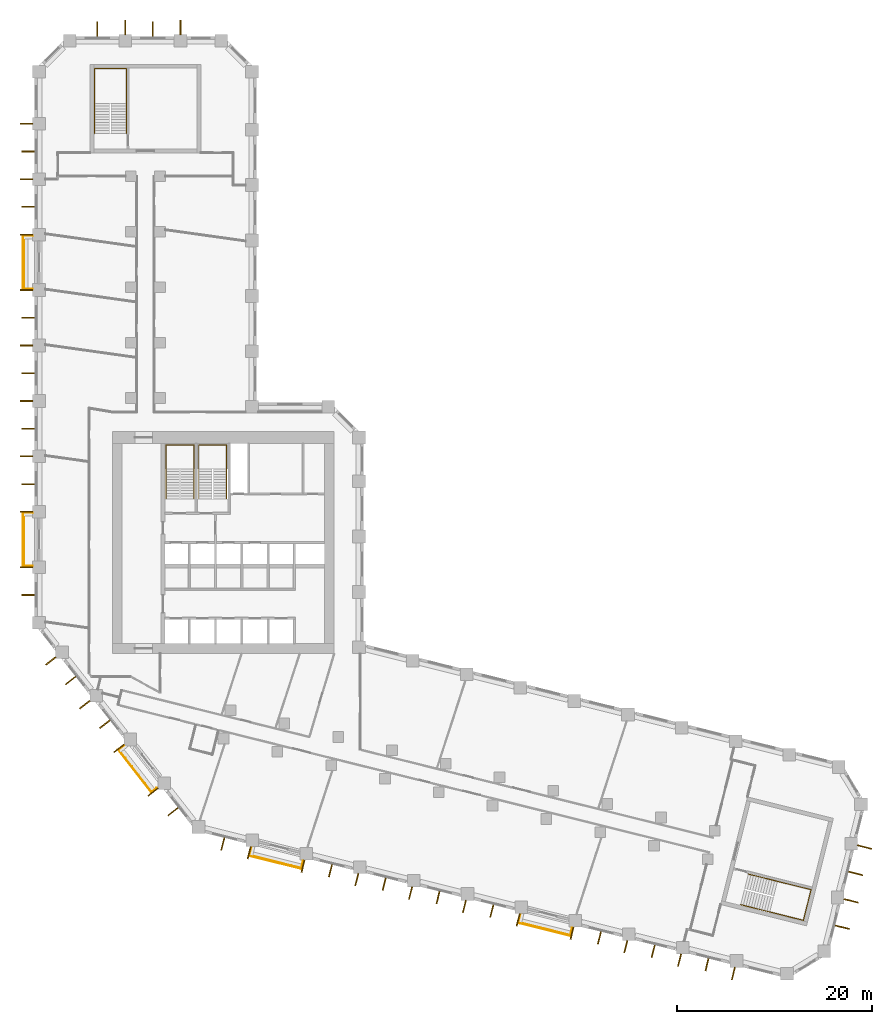
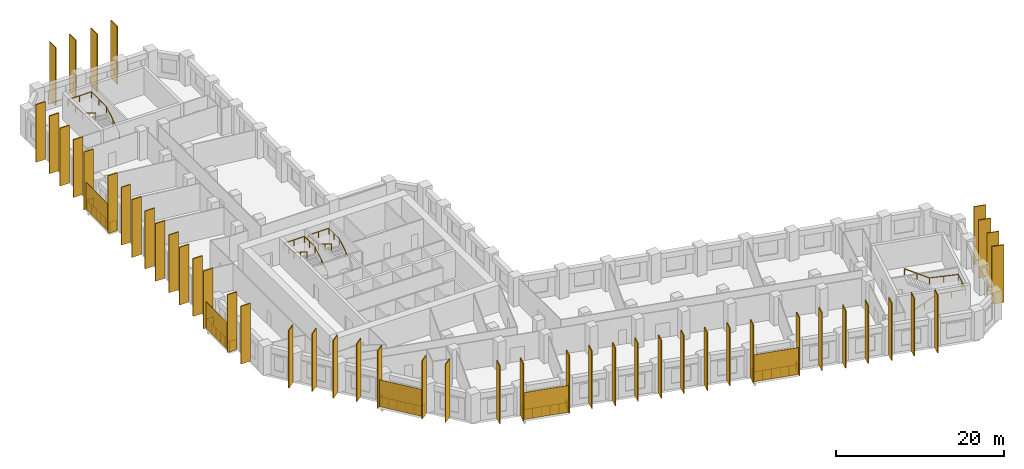
# One storey, part 11 of 11: 54 shading devices, 9 railings.
"""IFC4 building model written with IfcOpenShell, lengths in metres."""

from ifc_helpers import new_model, si_unit, direction, frame, origin, origin_2d, place, context, subcontext, project, spatial, rectangle, circle, extrude, material, layer, layer_set, type_object, element, save


model = new_model("IFC4")

# Units and contexts
model_context = context("Model", 3, precision=1e-05, world=origin(), true_north=direction((0.0, 1.0)))
body_context = subcontext(model_context, "Body", "Model", "MODEL_VIEW")
ifc_project = project(units=[si_unit("LENGTHUNIT", "METRE"), si_unit("AREAUNIT", "SQUARE_METRE"), si_unit("VOLUMEUNIT", "CUBIC_METRE"), si_unit("PLANEANGLEUNIT", "RADIAN"), si_unit("MASSUNIT", "GRAM", prefix="KILO")], contexts=[model_context])

# Site, building, storey
site_placement = place(None, origin())
site = spatial("IfcSite", under=ifc_project, at=site_placement, CompositionType="ELEMENT")
building_placement = place(site_placement, origin())
building = spatial("IfcBuilding", under=site, at=building_placement, Name="Meshkara Civic Tower", CompositionType="ELEMENT")
storey_placement = place(building_placement, frame((0.0, 0.0, 147.60009765625)))
storey = spatial("IfcBuildingStorey", under=building, at=storey_placement, Name="L33", CompositionType="ELEMENT", Elevation=147.60009765625)

# Railings
ifc_material_1 = material(Name="Steel S355", Category="steel")
railing_type_1 = type_object("IfcRailingType", Name="BALUSTRADE GUARD 1400", PredefinedType="BALUSTRADE", material=ifc_material_1)
for number, where, name in (
    (1, (-0.199951171875, 57.034912109375, 0.0), "Balcony guard"),
    (2, (-0.199951171875, 28.534912109375, 0.0), "Balcony guard"),
):
    element("IfcRailing", number, at=place(storey_placement, frame(where)), inside=storey, type_object=railing_type_1, Name=name, PredefinedType="BALUSTRADE", context=body_context, shape_type="SweptSolid", body=[
        extrude(circle(Radius=0.02392578125, at=origin_2d()), frame((0.0, 0.0, 1.3759765625), z_axis=(-1.0, 0.0, 0.0), x_axis=(0.0, -1.0, 0.0)), (0.0, 0.0, 1.0), 0.91015625),
        extrude(circle(Radius=0.02392578125, at=origin_2d()), frame((-0.91015625, 0.0, 1.3759765625), z_axis=(0.0, -1.0, 0.0), x_axis=(1.0, 0.0, 0.0)), (0.0, 0.0, 1.0), 5.4599609375),
        extrude(circle(Radius=0.02392578125, at=origin_2d()), frame((-0.91015625, -5.4599609375, 1.3759765625), z_axis=(1.0, 0.0, 0.0), x_axis=(0.0, 1.0, 0.0)), (0.0, 0.0, 1.0), 0.91015625),
        extrude(circle(Radius=0.02099609375, at=origin_2d()), origin(), (0.0, 0.0, 1.0), 1.351806640625),
        extrude(circle(Radius=0.02099609375, at=origin_2d()), frame((-0.91015625, 0.0, 0.0)), (0.0, 0.0, 1.0), 1.351806640625),
        extrude(circle(Radius=0.02099609375, at=origin_2d()), frame((-0.91015625, -1.092041015625, 0.0)), (0.0, 0.0, 1.0), 1.351806640625),
        extrude(circle(Radius=0.02099609375, at=origin_2d()), frame((-0.91015625, -2.18408203125, 0.0)), (0.0, 0.0, 1.0), 1.351806640625),
        extrude(circle(Radius=0.02099609375, at=origin_2d()), frame((-0.91015625, -3.27587890625, 0.0)), (0.0, 0.0, 1.0), 1.351806640625),
        extrude(circle(Radius=0.02099609375, at=origin_2d()), frame((-0.91015625, -4.367919921875, 0.0)), (0.0, 0.0, 1.0), 1.351806640625),
        extrude(circle(Radius=0.02099609375, at=origin_2d()), frame((-0.91015625, -5.4599609375, 0.0)), (0.0, 0.0, 1.0), 1.351806640625),
        extrude(circle(Radius=0.02099609375, at=origin_2d()), frame((0.0, -5.4599609375, 0.0)), (0.0, 0.0, 1.0), 1.351806640625),
    ])
railing_1_placement = place(storey_placement, frame((9.18798828125, 4.589111328125, 0.0)))
element("IfcRailing", 3, at=railing_1_placement, inside=storey, type_object=railing_type_1, Name="Balcony guard", PredefinedType="BALUSTRADE", context=body_context, shape_type="SweptSolid", body=[
    extrude(circle(Radius=0.02392578125, at=origin_2d()), frame((0.0, 0.0, 1.3759765625), z_axis=(-0.787481136241, -0.61633875431, 0.0), x_axis=(0.61633875431, -0.787481136241, 0.0)), (0.0, 0.0, 1.0), 0.647705078125),
    extrude(circle(Radius=0.02392578125, at=origin_2d()), frame((-0.510009765625, -0.399169921875, 1.3759765625), z_axis=(0.615660530481, -0.788011491799, 0.0), x_axis=(0.788011491799, 0.615660530481, 0.0)), (0.0, 0.0, 1.0), 5.459228515625),
    extrude(circle(Radius=0.02392578125, at=origin_2d()), frame((2.85107421875, -4.701171875, 1.3759765625), z_axis=(0.787481136241, 0.61633875431, 0.0), x_axis=(-0.61633875431, 0.787481136241, 0.0)), (0.0, 0.0, 1.0), 0.647705078125),
    extrude(circle(Radius=0.02099609375, at=origin_2d()), origin(), (0.0, 0.0, 1.0), 1.351806640625),
    extrude(circle(Radius=0.02099609375, at=origin_2d()), frame((-0.510009765625, -0.399169921875, 0.0)), (0.0, 0.0, 1.0), 1.351806640625),
    extrude(circle(Radius=0.02099609375, at=origin_2d()), frame((0.162109375, -1.259521484375, 0.0)), (0.0, 0.0, 1.0), 1.351806640625),
    extrude(circle(Radius=0.02099609375, at=origin_2d()), frame((0.83447265625, -2.119873046875, 0.0)), (0.0, 0.0, 1.0), 1.351806640625),
    extrude(circle(Radius=0.02099609375, at=origin_2d()), frame((1.506591796875, -2.98046875, 0.0)), (0.0, 0.0, 1.0), 1.351806640625),
    extrude(circle(Radius=0.02099609375, at=origin_2d()), frame((2.178955078125, -3.8408203125, 0.0)), (0.0, 0.0, 1.0), 1.351806640625),
    extrude(circle(Radius=0.02099609375, at=origin_2d()), frame((2.85107421875, -4.701171875, 0.0)), (0.0, 0.0, 1.0), 1.351806640625),
    extrude(circle(Radius=0.02099609375, at=origin_2d()), frame((3.361083984375, -4.302001953125, 0.0)), (0.0, 0.0, 1.0), 1.351806640625),
])
railing_2_placement = place(storey_placement, frame((22.30810546875, -5.909912109375, 0.0)))
element("IfcRailing", 4, at=railing_2_placement, inside=storey, type_object=railing_type_1, Name="Balcony guard", PredefinedType="BALUSTRADE", context=body_context, shape_type="SweptSolid", body=[
    extrude(circle(Radius=0.02392578125, at=origin_2d()), frame((0.0, 0.0, 1.3759765625), z_axis=(-0.242237978263, -0.970216863329, 0.0), x_axis=(0.970216863329, -0.242237978263, 0.0)), (0.0, 0.0, 1.0), 0.77197265625),
    extrude(circle(Radius=0.02392578125, at=origin_2d()), frame((-0.18701171875, -0.7490234375, 1.3759765625), z_axis=(0.970279141219, -0.24198840492, 0.0), x_axis=(0.24198840492, 0.970279141219, 0.0)), (0.0, 0.0, 1.0), 5.459228515625),
    extrude(circle(Radius=0.02392578125, at=origin_2d()), frame((5.10986328125, -2.070068359375, 1.3759765625), z_axis=(0.242237978263, 0.970216863329, 0.0), x_axis=(-0.970216863329, 0.242237978263, 0.0)), (0.0, 0.0, 1.0), 0.77197265625),
    extrude(circle(Radius=0.02099609375, at=origin_2d()), origin(), (0.0, 0.0, 1.0), 1.351806640625),
    extrude(circle(Radius=0.02099609375, at=origin_2d()), frame((-0.18701171875, -0.7490234375, 0.0)), (0.0, 0.0, 1.0), 1.351806640625),
    extrude(circle(Radius=0.02099609375, at=origin_2d()), frame((0.872314453125, -1.01318359375, 0.0)), (0.0, 0.0, 1.0), 1.351806640625),
    extrude(circle(Radius=0.02099609375, at=origin_2d()), frame((1.931640625, -1.27734375, 0.0)), (0.0, 0.0, 1.0), 1.351806640625),
    extrude(circle(Radius=0.02099609375, at=origin_2d()), frame((2.9912109375, -1.541748046875, 0.0)), (0.0, 0.0, 1.0), 1.351806640625),
    extrude(circle(Radius=0.02099609375, at=origin_2d()), frame((4.050537109375, -1.805908203125, 0.0)), (0.0, 0.0, 1.0), 1.351806640625),
    extrude(circle(Radius=0.02099609375, at=origin_2d()), frame((5.10986328125, -2.070068359375, 0.0)), (0.0, 0.0, 1.0), 1.351806640625),
    extrude(circle(Radius=0.02099609375, at=origin_2d()), frame((5.296875, -1.321044921875, 0.0)), (0.0, 0.0, 1.0), 1.351806640625),
])
railing_3_placement = place(storey_placement, frame((49.9609375, -12.804931640625, 0.0)))
element("IfcRailing", 5, at=railing_3_placement, inside=storey, type_object=railing_type_1, Name="Balcony guard", PredefinedType="BALUSTRADE", context=body_context, shape_type="SweptSolid", body=[
    extrude(circle(Radius=0.02392578125, at=origin_2d()), frame((0.0, 0.0, 1.3759765625), z_axis=(-0.242237978263, -0.970216863329, 0.0), x_axis=(0.970216863329, -0.242237978263, 0.0)), (0.0, 0.0, 1.0), 0.77197265625),
    extrude(circle(Radius=0.02392578125, at=origin_2d()), frame((-0.18701171875, -0.7490234375, 1.3759765625), z_axis=(0.970292231073, -0.24193591366, 0.0), x_axis=(0.24193591366, 0.970292231073, 0.0)), (0.0, 0.0, 1.0), 5.460205078125),
    extrude(circle(Radius=0.02392578125, at=origin_2d()), frame((5.111083984375, -2.070068359375, 1.3759765625), z_axis=(0.242237978263, 0.970216863329, 0.0), x_axis=(-0.970216863329, 0.242237978263, 0.0)), (0.0, 0.0, 1.0), 0.77197265625),
    extrude(circle(Radius=0.02099609375, at=origin_2d()), origin(), (0.0, 0.0, 1.0), 1.351806640625),
    extrude(circle(Radius=0.02099609375, at=origin_2d()), frame((-0.18701171875, -0.7490234375, 0.0)), (0.0, 0.0, 1.0), 1.351806640625),
    extrude(circle(Radius=0.02099609375, at=origin_2d()), frame((0.87255859375, -1.01318359375, 0.0)), (0.0, 0.0, 1.0), 1.351806640625),
    extrude(circle(Radius=0.02099609375, at=origin_2d()), frame((1.93212890625, -1.27734375, 0.0)), (0.0, 0.0, 1.0), 1.351806640625),
    extrude(circle(Radius=0.02099609375, at=origin_2d()), frame((2.991943359375, -1.541748046875, 0.0)), (0.0, 0.0, 1.0), 1.351806640625),
    extrude(circle(Radius=0.02099609375, at=origin_2d()), frame((4.051513671875, -1.805908203125, 0.0)), (0.0, 0.0, 1.0), 1.351806640625),
    extrude(circle(Radius=0.02099609375, at=origin_2d()), frame((5.111083984375, -2.070068359375, 0.0)), (0.0, 0.0, 1.0), 1.351806640625),
    extrude(circle(Radius=0.02099609375, at=origin_2d()), frame((5.298095703125, -1.321044921875, 0.0)), (0.0, 0.0, 1.0), 1.351806640625),
])

# Shading devices
ifc_material_2 = material(Name="Bronze anodised aluminium", Category="aluminium")
ifc_layer_1 = layer(ifc_material_2, 0.1201171875)
ifc_layer_set_1 = layer_set([ifc_layer_1], Name="BRONZE FIN 1300")
shading_device_type_1 = type_object("IfcShadingDeviceType", Name="BRONZE FIN 1300", PredefinedType="USERDEFINED", material=ifc_layer_set_1)
for number, where, z_axis, x_axis, name in (
    (6, (-0.85009765625, 68.554931640625, 0.0), (0.0, 0.0, 1.0), (0.0, -1.0, 0.0), "Fin"),
    (7, (-0.64990234375, 65.705078125, 0.0), (0.0, 0.0, 1.0), (0.0, -1.0, 0.0), "Fin"),
    (8, (-0.85009765625, 62.85498046875, 0.0), (0.0, 0.0, 1.0), (0.0, -1.0, 0.0), "Fin"),
    (9, (-0.64990234375, 60.0048828125, 0.0), (0.0, 0.0, 1.0), (0.0, -1.0, 0.0), "Fin"),
    (10, (-0.85009765625, 57.155029296875, 0.0), (0.0, 0.0, 1.0), (0.0, -1.0, 0.0), "Fin"),
    (11, (-0.85009765625, 51.455078125, 0.0), (0.0, 0.0, 1.0), (0.0, -1.0, 0.0), "Fin"),
    (12, (-0.64990234375, 48.60498046875, 0.0), (0.0, 0.0, 1.0), (0.0, -1.0, 0.0), "Fin"),
    (13, (-0.85009765625, 45.7548828125, 0.0), (0.0, 0.0, 1.0), (0.0, -1.0, 0.0), "Fin"),
    (14, (-0.64990234375, 42.905029296875, 0.0), (0.0, 0.0, 1.0), (0.0, -1.0, 0.0), "Fin"),
    (15, (-0.85009765625, 40.054931640625, 0.0), (0.0, 0.0, 1.0), (0.0, -1.0, 0.0), "Fin"),
    (16, (-0.64990234375, 37.205078125, 0.0), (0.0, 0.0, 1.0), (0.0, -1.0, 0.0), "Fin"),
    (17, (-0.85009765625, 34.35498046875, 0.0), (0.0, 0.0, 1.0), (0.0, -1.0, 0.0), "Fin"),
    (18, (-0.64990234375, 31.5048828125, 0.0), (0.0, 0.0, 1.0), (0.0, -1.0, 0.0), "Fin"),
    (19, (-0.85009765625, 28.655029296875, 0.0), (0.0, 0.0, 1.0), (0.0, -1.0, 0.0), "Fin"),
    (20, (-0.85009765625, 22.955078125, 0.0), (0.0, 0.0, 1.0), (0.0, -1.0, 0.0), "Fin"),
    (21, (-0.64990234375, 20.10498046875, 0.0), (0.0, 0.0, 1.0), (0.0, -1.0, 0.0), "Fin"),
    (22, (1.652099609375, 13.321044921875, 0.0), (0.0, 0.0, 1.0), (0.615661475326, -0.788010753607, 0.0), "Fin"),
    (23, (3.701904296875, 11.305908203125, 0.0), (0.0, 0.0, 1.0), (0.615661475326, -0.788010753607, 0.0), "Fin"),
    (24, (5.160888671875, 8.8291015625, 0.0), (0.0, 0.0, 1.0), (0.615661475326, -0.788010753607, 0.0), "Fin"),
    (25, (7.2109375, 6.81396484375, 0.0), (0.0, 0.0, 1.0), (0.615661475326, -0.788010753607, 0.0), "Fin"),
    (26, (8.6708984375, 4.3369140625, 0.0), (0.0, 0.0, 1.0), (0.615661475326, -0.788010753607, 0.0), "Fin"),
    (27, (12.179931640625, -0.154052734375, 0.0), (0.0, 0.0, 1.0), (0.615661475326, -0.788010753607, 0.0), "Fin"),
    (28, (14.22998046875, -2.1689453125, 0.0), (0.0, 0.0, 1.0), (0.615661475326, -0.788010753607, 0.0), "Fin"),
    (29, (19.35009765625, -5.4951171875, 0.0), (0.0, 0.0, 1.0), (0.970299948462, -0.241904960708, 0.0), "Fin"),
    (30, (22.06298828125, -6.39794921875, 0.0), (0.0, 0.0, 1.0), (0.970299948462, -0.241904960708, 0.0), "Fin"),
    (31, (27.593017578125, -7.777099609375, 0.0), (0.0, 0.0, 1.0), (0.970299948462, -0.241904960708, 0.0), "Fin"),
    (32, (30.412109375, -8.251953125, 0.0), (0.0, 0.0, 1.0), (0.970299948462, -0.241904960708, 0.0), "Fin"),
    (33, (33.1240234375, -9.156005859375, 0.0), (0.0, 0.0, 1.0), (0.970299948462, -0.241904960708, 0.0), "Fin"),
    (34, (35.94189453125, -9.631103515625, 0.0), (0.0, 0.0, 1.0), (0.970299948462, -0.241904960708, 0.0), "Fin"),
    (35, (38.655029296875, -10.533935546875, 0.0), (0.0, 0.0, 1.0), (0.970299948462, -0.241904960708, 0.0), "Fin"),
    (36, (41.472900390625, -11.010009765625, 0.0), (0.0, 0.0, 1.0), (0.970299948462, -0.241904960708, 0.0), "Fin"),
    (37, (44.18603515625, -11.9130859375, 0.0), (0.0, 0.0, 1.0), (0.970299948462, -0.241904960708, 0.0), "Fin"),
    (38, (47.00390625, -12.388916015625, 0.0), (0.0, 0.0, 1.0), (0.970299948462, -0.241904960708, 0.0), "Fin"),
    (39, (49.716064453125, -13.2919921875, 0.0), (0.0, 0.0, 1.0), (0.970299948462, -0.241904960708, 0.0), "Fin"),
    (40, (55.2470703125, -14.6708984375, 0.0), (0.0, 0.0, 1.0), (0.970299948462, -0.241904960708, 0.0), "Fin"),
    (41, (58.06494140625, -15.14697265625, 0.0), (0.0, 0.0, 1.0), (0.970299948462, -0.241904960708, 0.0), "Fin"),
    (42, (60.778076171875, -16.050048828125, 0.0), (0.0, 0.0, 1.0), (0.970299948462, -0.241904960708, 0.0), "Fin"),
    (43, (63.595947265625, -16.52587890625, 0.0), (0.0, 0.0, 1.0), (0.970299948462, -0.241904960708, 0.0), "Fin"),
    (44, (66.30810546875, -17.428955078125, 0.0), (0.0, 0.0, 1.0), (0.970299948462, -0.241904960708, 0.0), "Fin"),
    (45, (69.1259765625, -17.905029296875, 0.0), (0.0, 0.0, 1.0), (0.970299948462, -0.241904960708, 0.0), "Fin"),
    (46, (71.839111328125, -18.80810546875, 0.0), (0.0, 0.0, 1.0), (0.970299948462, -0.241904960708, 0.0), "Fin"),
):
    element("IfcShadingDevice", number, at=place(storey_placement, frame(where, z_axis=z_axis, x_axis=x_axis)), inside=storey, type_object=shading_device_type_1, Name=name, ObjectType="FIN", PredefinedType="USERDEFINED", context=body_context, shape_type="SweptSolid", body=[
        extrude(rectangle(XDim=0.1201171875, YDim=1.300048828125, at=origin_2d()), origin(), (0.0, 0.0, 1.0), 8.39990234375),
    ])
ifc_material_3 = material(Name="Bronze anodised aluminium", Category="aluminium")
ifc_layer_2 = layer(ifc_material_3, 0.1201171875)
ifc_layer_set_2 = layer_set([ifc_layer_2], Name="BRONZE FIN 1500")
shading_device_type_2 = type_object("IfcShadingDeviceType", Name="BRONZE FIN 1500", PredefinedType="USERDEFINED", material=ifc_layer_set_2)
for number, where, z_axis, x_axis, name in (
    (47, (15.006103515625, 78.469970703125, 0.0), (0.0, 0.0, 1.0), (-1.0, 0.0, 0.0), "Fin"),
    (48, (12.156005859375, 78.27001953125, 0.0), (0.0, 0.0, 1.0), (-1.0, 0.0, 0.0), "Fin"),
    (49, (9.305908203125, 78.469970703125, 0.0), (0.0, 0.0, 1.0), (-1.0, 0.0, 0.0), "Fin"),
    (50, (6.4560546875, 78.27001953125, 0.0), (0.0, 0.0, 1.0), (-1.0, 0.0, 0.0), "Fin"),
    (51, (83.037109375, -14.049072265625, 0.0), (0.0, 0.0, 1.0), (0.2419218956, 0.970295726276, 0.0), "Fin"),
    (52, (83.93994140625, -11.3359375, 0.0), (0.0, 0.0, 1.0), (0.2419218956, 0.970295726276, 0.0), "Fin"),
    (53, (84.416015625, -8.51806640625, 0.0), (0.0, 0.0, 1.0), (0.2419218956, 0.970295726276, 0.0), "Fin"),
    (54, (85.319091796875, -5.805908203125, 0.0), (0.0, 0.0, 1.0), (0.2419218956, 0.970295726276, 0.0), "Fin"),
):
    element("IfcShadingDevice", number, at=place(storey_placement, frame(where, z_axis=z_axis, x_axis=x_axis)), inside=storey, type_object=shading_device_type_2, Name=name, ObjectType="FIN", PredefinedType="USERDEFINED", context=body_context, shape_type="SweptSolid", body=[
        extrude(rectangle(XDim=0.1201171875, YDim=1.5, at=origin_2d()), origin(), (0.0, 0.0, 1.0), 8.39990234375),
    ])
ifc_material_4 = material(Name="Perforated bronze anodised aluminium sheet", Category="aluminium")
ifc_layer_3 = layer(ifc_material_4, 0.0400390625)
ifc_layer_set_3 = layer_set([ifc_layer_3], Name="PERFORATED BRONZE SCREEN")
shading_device_type_3 = type_object("IfcShadingDeviceType", Name="PERFORATED BRONZE SCREEN", PredefinedType="USERDEFINED", material=ifc_layer_set_3)
for number, where, z_axis, x_axis, name in (
    (55, (-1.179931640625, 54.304931640625, 0.0), (0.0, 0.0, 1.0), (0.0, -1.0, 0.0), "Balcony screen"),
    (56, (-1.179931640625, 25.804931640625, 0.0), (0.0, 0.0, 1.0), (0.0, -1.0, 0.0), "Balcony screen"),
):
    element("IfcShadingDevice", number, at=place(storey_placement, frame(where, z_axis=z_axis, x_axis=x_axis)), inside=storey, type_object=shading_device_type_3, Name=name, ObjectType="SCREEN", PredefinedType="USERDEFINED", context=body_context, shape_type="SweptSolid", body=[
        extrude(rectangle(XDim=5.580078125, YDim=0.0400390625, at=origin_2d()), origin(), (0.0, 0.0, 1.0), 3.89990234375),
    ])
for number, where, z_axis, x_axis, name in (
    (57, (10.302978515625, 1.99609375, 0.0), (0.0, 0.0, 1.0), (0.615661475326, -0.788010753607, 0.0), "Balcony screen"),
    (58, (24.7529296875, -7.387939453125, 0.0), (0.0, 0.0, 1.0), (0.970299948462, -0.241904960708, 0.0), "Balcony screen"),
):
    element("IfcShadingDevice", number, at=place(storey_placement, frame(where, z_axis=z_axis, x_axis=x_axis)), inside=storey, type_object=shading_device_type_3, Name=name, ObjectType="SCREEN", PredefinedType="USERDEFINED", context=body_context, shape_type="SweptSolid", body=[
        extrude(rectangle(XDim=5.5791015625, YDim=0.0400390625, at=origin_2d()), origin(), (0.0, 0.0, 1.0), 3.89990234375),
    ])
shading_device_placement = place(storey_placement, frame((52.406005859375, -14.281982421875, 0.0), z_axis=(0.0, 0.0, 1.0), x_axis=(0.970299948462, -0.241904960708, 0.0)))
element("IfcShadingDevice", 59, at=shading_device_placement, inside=storey, type_object=shading_device_type_3, Name="Balcony screen", ObjectType="SCREEN", PredefinedType="USERDEFINED", context=body_context, shape_type="SweptSolid", body=[
    extrude(rectangle(XDim=5.580078125, YDim=0.0400390625, at=origin_2d()), origin(), (0.0, 0.0, 1.0), 3.89990234375),
])

# Railings
ifc_material_5 = material(Name="Steel handrail", Category="steel")
railing_type_2 = type_object("IfcRailingType", Name="Stair handrail 900", PredefinedType="HANDRAIL", material=ifc_material_5)
railing_4_placement = place(storey_placement, frame((16.375, 30.0, 0.1748046875)))
element("IfcRailing", 60, at=railing_4_placement, inside=storey, type_object=railing_type_2, Name="L33 ST1 stair handrail 1", PredefinedType="HANDRAIL", context=body_context, shape_type="SweptSolid", body=[
    extrude(circle(Radius=0.02392578125, at=origin_2d()), frame((0.0, 0.0, 0.8759765625), z_axis=(0.0, 0.847998304005, 0.529998940003), x_axis=(-1.0, 0.0, 0.0)), (0.0, 0.0, 1.0), 3.632080078125),
    extrude(circle(Radius=0.02392578125, at=origin_2d()), frame((0.0, 3.080078125, 2.80078125), z_axis=(0.0, 1.0, 0.0), x_axis=(-1.0, 0.0, 0.0)), (0.0, 0.0, 1.0), 2.469970703125),
    extrude(circle(Radius=0.02392578125, at=origin_2d()), frame((0.0, 5.550048828125, 2.80078125), z_axis=(-1.0, 0.0, 0.0), x_axis=(0.0, -1.0, 0.0)), (0.0, 0.0, 1.0), 2.85009765625),
    extrude(circle(Radius=0.02392578125, at=origin_2d()), frame((-2.85009765625, 5.550048828125, 2.80078125), z_axis=(0.0, -0.997498084828, 0.070693498747), x_axis=(1.0, 0.0, 0.0)), (0.0, 0.0, 1.0), 2.47607421875),
    extrude(circle(Radius=0.02392578125, at=origin_2d()), frame((-2.85009765625, 3.080078125, 2.97607421875), z_axis=(0.0, -0.847998304005, 0.529998940003), x_axis=(1.0, 0.0, 0.0)), (0.0, 0.0, 1.0), 3.632080078125),
    extrude(circle(Radius=0.02099609375, at=origin_2d()), origin(), (0.0, 0.0, 1.0), 0.851806640625),
    extrude(circle(Radius=0.02099609375, at=origin_2d()), frame((0.0, 1.5400390625, 0.96240234375)), (0.0, 0.0, 1.0), 0.851806640625),
    extrude(circle(Radius=0.02099609375, at=origin_2d()), frame((0.0, 3.080078125, 1.925048828125)), (0.0, 0.0, 1.0), 0.851806640625),
    extrude(circle(Radius=0.02099609375, at=origin_2d()), frame((0.0, 4.31494140625, 1.925048828125)), (0.0, 0.0, 1.0), 0.851806640625),
    extrude(circle(Radius=0.02099609375, at=origin_2d()), frame((0.0, 5.550048828125, 1.925048828125)), (0.0, 0.0, 1.0), 0.851806640625),
    extrude(circle(Radius=0.02099609375, at=origin_2d()), frame((-1.425048828125, 5.550048828125, 1.925048828125)), (0.0, 0.0, 1.0), 0.851806640625),
    extrude(circle(Radius=0.02099609375, at=origin_2d()), frame((-2.85009765625, 5.550048828125, 1.925048828125)), (0.0, 0.0, 1.0), 0.851806640625),
    extrude(circle(Radius=0.02099609375, at=origin_2d()), frame((-2.85009765625, 4.31494140625, 2.0126953125)), (0.0, 0.0, 1.0), 0.851806640625),
    extrude(circle(Radius=0.02099609375, at=origin_2d()), frame((-2.85009765625, 3.080078125, 2.10009765625)), (0.0, 0.0, 1.0), 0.851806640625),
    extrude(circle(Radius=0.02099609375, at=origin_2d()), frame((-2.85009765625, 1.5400390625, 3.0625)), (0.0, 0.0, 1.0), 0.851806640625),
    extrude(circle(Radius=0.02099609375, at=origin_2d()), frame((-2.85009765625, 0.0, 4.025146484375)), (0.0, 0.0, 1.0), 0.851806640625),
])
railing_5_placement = place(storey_placement, frame((19.72509765625, 30.0, 0.1748046875)))
element("IfcRailing", 61, at=railing_5_placement, inside=storey, type_object=railing_type_2, Name="L33 ST2 stair handrail 1", PredefinedType="HANDRAIL", context=body_context, shape_type="SweptSolid", body=[
    extrude(circle(Radius=0.02392578125, at=origin_2d()), frame((0.0, 0.0, 0.8759765625), z_axis=(0.0, 0.847998304005, 0.529998940003), x_axis=(-1.0, 0.0, 0.0)), (0.0, 0.0, 1.0), 3.632080078125),
    extrude(circle(Radius=0.02392578125, at=origin_2d()), frame((0.0, 3.080078125, 2.80078125), z_axis=(0.0, 1.0, 0.0), x_axis=(-1.0, 0.0, 0.0)), (0.0, 0.0, 1.0), 2.469970703125),
    extrude(circle(Radius=0.02392578125, at=origin_2d()), frame((0.0, 5.550048828125, 2.80078125), z_axis=(-1.0, 0.0, 0.0), x_axis=(0.0, -1.0, 0.0)), (0.0, 0.0, 1.0), 2.85009765625),
    extrude(circle(Radius=0.02392578125, at=origin_2d()), frame((-2.85009765625, 5.550048828125, 2.80078125), z_axis=(0.0, -0.997498084828, 0.070693498747), x_axis=(1.0, 0.0, 0.0)), (0.0, 0.0, 1.0), 2.47607421875),
    extrude(circle(Radius=0.02392578125, at=origin_2d()), frame((-2.85009765625, 3.080078125, 2.97607421875), z_axis=(0.0, -0.847998304005, 0.529998940003), x_axis=(1.0, 0.0, 0.0)), (0.0, 0.0, 1.0), 3.632080078125),
    extrude(circle(Radius=0.02099609375, at=origin_2d()), origin(), (0.0, 0.0, 1.0), 0.851806640625),
    extrude(circle(Radius=0.02099609375, at=origin_2d()), frame((0.0, 1.5400390625, 0.96240234375)), (0.0, 0.0, 1.0), 0.851806640625),
    extrude(circle(Radius=0.02099609375, at=origin_2d()), frame((0.0, 3.080078125, 1.925048828125)), (0.0, 0.0, 1.0), 0.851806640625),
    extrude(circle(Radius=0.02099609375, at=origin_2d()), frame((0.0, 4.31494140625, 1.925048828125)), (0.0, 0.0, 1.0), 0.851806640625),
    extrude(circle(Radius=0.02099609375, at=origin_2d()), frame((0.0, 5.550048828125, 1.925048828125)), (0.0, 0.0, 1.0), 0.851806640625),
    extrude(circle(Radius=0.02099609375, at=origin_2d()), frame((-1.425048828125, 5.550048828125, 1.925048828125)), (0.0, 0.0, 1.0), 0.851806640625),
    extrude(circle(Radius=0.02099609375, at=origin_2d()), frame((-2.85009765625, 5.550048828125, 1.925048828125)), (0.0, 0.0, 1.0), 0.851806640625),
    extrude(circle(Radius=0.02099609375, at=origin_2d()), frame((-2.85009765625, 4.31494140625, 2.0126953125)), (0.0, 0.0, 1.0), 0.851806640625),
    extrude(circle(Radius=0.02099609375, at=origin_2d()), frame((-2.85009765625, 3.080078125, 2.10009765625)), (0.0, 0.0, 1.0), 0.851806640625),
    extrude(circle(Radius=0.02099609375, at=origin_2d()), frame((-2.85009765625, 1.5400390625, 3.0625)), (0.0, 0.0, 1.0), 0.851806640625),
    extrude(circle(Radius=0.02099609375, at=origin_2d()), frame((-2.85009765625, 0.0, 4.025146484375)), (0.0, 0.0, 1.0), 0.851806640625),
])
railing_6_placement = place(storey_placement, frame((9.425048828125, 67.570068359375, 0.1748046875)))
element("IfcRailing", 62, at=railing_6_placement, inside=storey, type_object=railing_type_2, Name="L33 ESA2 stair handrail 1", PredefinedType="HANDRAIL", context=body_context, shape_type="SweptSolid", body=[
    extrude(circle(Radius=0.02392578125, at=origin_2d()), frame((0.0, 0.0, 0.8759765625), z_axis=(0.0, 0.847979421464, 0.530029150871), x_axis=(-1.0, 0.0, 0.0)), (0.0, 0.0, 1.0), 3.632080078125),
    extrude(circle(Radius=0.02392578125, at=origin_2d()), frame((0.0, 3.079833984375, 2.80078125), z_axis=(0.0, 1.0, 0.0), x_axis=(-1.0, 0.0, 0.0)), (0.0, 0.0, 1.0), 3.570068359375),
    extrude(circle(Radius=0.02392578125, at=origin_2d()), frame((0.0, 6.64990234375, 2.80078125), z_axis=(-1.0, 0.0, 0.0), x_axis=(0.0, -1.0, 0.0)), (0.0, 0.0, 1.0), 3.25),
    extrude(circle(Radius=0.02392578125, at=origin_2d()), frame((-3.25, 6.64990234375, 2.80078125), z_axis=(0.0, -0.998800077689, 0.048973511297), x_axis=(1.0, 0.0, 0.0)), (0.0, 0.0, 1.0), 3.574462890625),
    extrude(circle(Radius=0.02392578125, at=origin_2d()), frame((-3.25, 3.079833984375, 2.97607421875), z_axis=(0.0, -0.847979421464, 0.530029150871), x_axis=(1.0, 0.0, 0.0)), (0.0, 0.0, 1.0), 3.632080078125),
    extrude(circle(Radius=0.02099609375, at=origin_2d()), origin(), (0.0, 0.0, 1.0), 0.851806640625),
    extrude(circle(Radius=0.02099609375, at=origin_2d()), frame((0.0, 1.5400390625, 0.96240234375)), (0.0, 0.0, 1.0), 0.851806640625),
    extrude(circle(Radius=0.02099609375, at=origin_2d()), frame((0.0, 3.079833984375, 1.925048828125)), (0.0, 0.0, 1.0), 0.851806640625),
    extrude(circle(Radius=0.02099609375, at=origin_2d()), frame((0.0, 4.86474609375, 1.925048828125)), (0.0, 0.0, 1.0), 0.851806640625),
    extrude(circle(Radius=0.02099609375, at=origin_2d()), frame((0.0, 6.64990234375, 1.925048828125)), (0.0, 0.0, 1.0), 0.851806640625),
    extrude(circle(Radius=0.02099609375, at=origin_2d()), frame((-1.625, 6.64990234375, 1.925048828125)), (0.0, 0.0, 1.0), 0.851806640625),
    extrude(circle(Radius=0.02099609375, at=origin_2d()), frame((-3.25, 6.64990234375, 1.925048828125)), (0.0, 0.0, 1.0), 0.851806640625),
    extrude(circle(Radius=0.02099609375, at=origin_2d()), frame((-3.25, 4.86474609375, 2.0126953125)), (0.0, 0.0, 1.0), 0.851806640625),
    extrude(circle(Radius=0.02099609375, at=origin_2d()), frame((-3.25, 3.079833984375, 2.10009765625)), (0.0, 0.0, 1.0), 0.851806640625),
    extrude(circle(Radius=0.02099609375, at=origin_2d()), frame((-3.25, 1.5400390625, 3.0625)), (0.0, 0.0, 1.0), 0.851806640625),
    extrude(circle(Radius=0.02099609375, at=origin_2d()), frame((-3.25, 0.0, 4.025146484375)), (0.0, 0.0, 1.0), 0.851806640625),
])
railing_7_placement = place(storey_placement, frame((72.587158203125, -11.73388671875, 0.1748046875)))
element("IfcRailing", 63, at=railing_7_placement, inside=storey, type_object=railing_type_2, Name="L33 ESB2 stair handrail 1", PredefinedType="HANDRAIL", context=body_context, shape_type="SweptSolid", body=[
    extrude(circle(Radius=0.02392578125, at=origin_2d()), frame((0.0, 0.0, 0.8759765625), z_axis=(0.82276025377, -0.205286749593, 0.530021617727), x_axis=(0.242087961707, 0.97025430625, 0.0)), (0.0, 0.0, 1.0), 3.632080078125),
    extrude(circle(Radius=0.02392578125, at=origin_2d()), frame((2.98828125, -0.74560546875, 2.80078125), z_axis=(0.97025503065, -0.242085058395, 0.0), x_axis=(0.242085058395, 0.97025503065, 0.0)), (0.0, 0.0, 1.0), 3.570068359375),
    extrude(circle(Radius=0.02392578125, at=origin_2d()), frame((6.4521484375, -1.60986328125, 2.80078125), z_axis=(0.242040676986, 0.970266103027, 0.0), x_axis=(-0.970266103027, 0.242040676986, 0.0)), (0.0, 0.0, 1.0), 3.25),
    extrude(circle(Radius=0.02392578125, at=origin_2d()), frame((7.23876953125, 1.54345703125, 2.80078125), z_axis=(-0.969090793551, 0.241794573525, 0.048973646672), x_axis=(-0.242085058395, -0.97025503065, 0.0)), (0.0, 0.0, 1.0), 3.574462890625),
    extrude(circle(Radius=0.02392578125, at=origin_2d()), frame((3.77490234375, 2.40771484375, 2.97607421875), z_axis=(-0.82276025377, 0.205286749593, 0.530021617727), x_axis=(-0.242087961707, -0.97025430625, 0.0)), (0.0, 0.0, 1.0), 3.632080078125),
    extrude(circle(Radius=0.02099609375, at=origin_2d()), origin(), (0.0, 0.0, 1.0), 0.851806640625),
    extrude(circle(Radius=0.02099609375, at=origin_2d()), frame((1.494140625, -0.372802734375, 0.96240234375)), (0.0, 0.0, 1.0), 0.851806640625),
    extrude(circle(Radius=0.02099609375, at=origin_2d()), frame((2.98828125, -0.74560546875, 1.925048828125)), (0.0, 0.0, 1.0), 0.851806640625),
    extrude(circle(Radius=0.02099609375, at=origin_2d()), frame((4.72021484375, -1.177734375, 1.925048828125)), (0.0, 0.0, 1.0), 0.851806640625),
    extrude(circle(Radius=0.02099609375, at=origin_2d()), frame((6.4521484375, -1.60986328125, 1.925048828125)), (0.0, 0.0, 1.0), 0.851806640625),
    extrude(circle(Radius=0.02099609375, at=origin_2d()), frame((6.845458984375, -0.033203125, 1.925048828125)), (0.0, 0.0, 1.0), 0.851806640625),
    extrude(circle(Radius=0.02099609375, at=origin_2d()), frame((7.23876953125, 1.54345703125, 1.925048828125)), (0.0, 0.0, 1.0), 0.851806640625),
    extrude(circle(Radius=0.02099609375, at=origin_2d()), frame((5.5068359375, 1.9755859375, 2.0126953125)), (0.0, 0.0, 1.0), 0.851806640625),
    extrude(circle(Radius=0.02099609375, at=origin_2d()), frame((3.77490234375, 2.40771484375, 2.10009765625)), (0.0, 0.0, 1.0), 0.851806640625),
    extrude(circle(Radius=0.02099609375, at=origin_2d()), frame((2.28076171875, 2.780517578125, 3.0625)), (0.0, 0.0, 1.0), 0.851806640625),
    extrude(circle(Radius=0.02099609375, at=origin_2d()), frame((0.78662109375, 3.1533203125, 4.025146484375)), (0.0, 0.0, 1.0), 0.851806640625),
])

save(model, "model.ifc")
